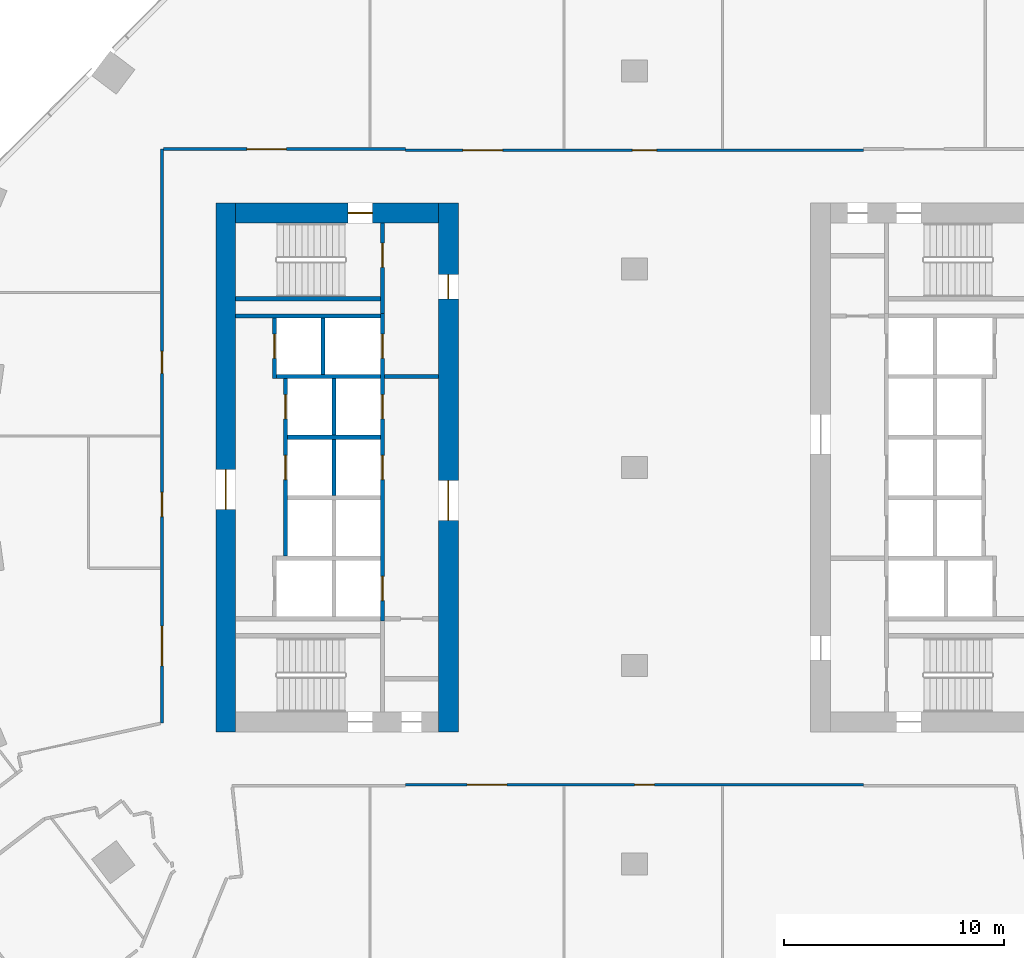
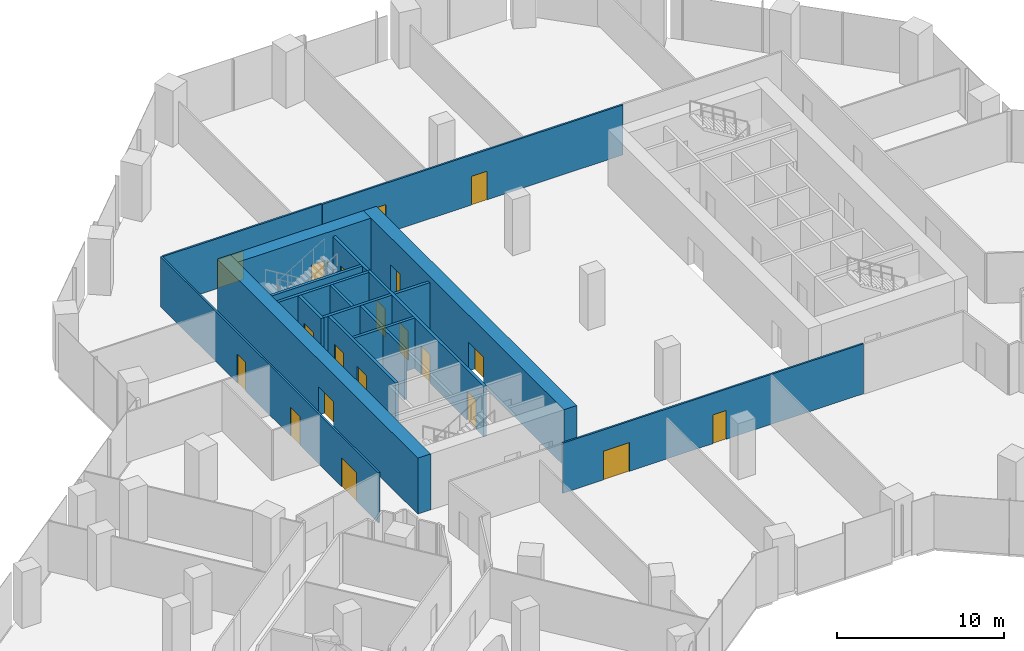
# One storey, part 23 of 29: 20 doors, 19 walls, 20 openings.
"""IFC4 building model written with IfcOpenShell, lengths in metres."""

from ifc_helpers import new_model, si_unit, direction, frame, frame_2d, origin, place, context, subcontext, project, spatial, rectangle, extrude, material, layer, layer_set, type_object, element, fill, save


model = new_model("IFC4")

# Units and contexts
model_context = context("Model", 3, precision=1e-05, world=origin(), true_north=direction((0.0, 1.0)))
body_context = subcontext(model_context, "Body", "Model", "MODEL_VIEW")
ifc_project = project(units=[si_unit("LENGTHUNIT", "METRE"), si_unit("AREAUNIT", "SQUARE_METRE"), si_unit("VOLUMEUNIT", "CUBIC_METRE"), si_unit("PLANEANGLEUNIT", "RADIAN"), si_unit("MASSUNIT", "GRAM", prefix="KILO")], contexts=[model_context])

# Site, building, storey
site_placement = place(None, origin())
site = spatial("IfcSite", under=ifc_project, at=site_placement, CompositionType="ELEMENT")
building_placement = place(site_placement, origin())
building = spatial("IfcBuilding", under=site, at=building_placement, Name="Orlundy Tower", CompositionType="ELEMENT")
storey_placement = place(building_placement, frame((0.0, 0.0, 29.199951171875)))
storey = spatial("IfcBuildingStorey", under=building, at=storey_placement, Name="L05", CompositionType="ELEMENT", Elevation=29.199951171875)

# Wall, opening, door
ifc_material_1 = material(Name="Concrete C80/95", Category="concrete")
ifc_layer_1 = layer(ifc_material_1, 0.89990234375)
ifc_layer_set_1 = layer_set([ifc_layer_1], Name="CORE WALL 900 C80/95")
wall_type_1 = type_object("IfcWallType", Name="CORE WALL 900 C80/95", PredefinedType="SHEAR", material=ifc_layer_set_1)
wall_1_placement = place(storey_placement, frame((-18.10009765625, 11.550048828125, 0.0), z_axis=(0.0, 0.0, 1.0), x_axis=(1.0, 0.0, 0.0)))
wall_1 = element("IfcWall", 1, at=wall_1_placement, inside=storey, type_object=wall_type_1, Name="Core wall W-N L05", PredefinedType="SHEAR", context=body_context, shape_type="SweptSolid", body=[
    extrude(rectangle(XDim=9.2001953125, YDim=0.89990234375, at=frame_2d((4.60009765625, 0.0))), origin(), (0.0, 0.0, 1.0), 4.10009765625),
])
opening_1_placement = place(wall_1_placement, frame((5.10009765625, 0.0, 0.0)))
opening_1 = element("IfcOpeningElement", 2, at=opening_1_placement, cuts=wall_1, Name="Opening 06012", PredefinedType="OPENING", context=body_context, shape_type="SweptSolid", body=[
    extrude(rectangle(XDim=1.10009765625, YDim=2.10009765625, at=frame_2d((0.550048828125, 1.050048828125))), frame((0.0, 0.4599609375, 0.0), z_axis=(0.0, -1.0, 0.0), x_axis=(1.0, 0.0, 0.0)), (0.0, 0.0, 1.0), 0.919921875),
])
ifc_material_2 = material(Name="Steel door set", Category="steel")
door_type_1 = type_object("IfcDoorType", Name="Stair Door 1100x2100", OperationType="SINGLE_SWING_LEFT", PredefinedType="DOOR", material=ifc_material_2)
door_1_placement = place(opening_1_placement, origin())
door_1 = element("IfcDoor", 3, at=door_1_placement, inside=storey, type_object=door_type_1, Name="Stair door 06012", OperationType="SINGLE_SWING_RIGHT", OverallHeight=2.10009765625, OverallWidth=1.10009765625, PredefinedType="DOOR", context=body_context, shape_type="SweptSolid", body=[
    extrude(rectangle(XDim=1.10009765625, YDim=2.10009765625, at=frame_2d((0.550048828125, 1.050048828125))), frame((0.0, 0.02490234375, 0.0), z_axis=(0.0, -1.0, 0.0), x_axis=(1.0, 0.0, 0.0)), (0.0, 0.0, 1.0), 0.050048828125),
])
fill(opening_1, door_1)

wall_2_placement = place(storey_placement, frame((-18.550048828125, -12.0, 0.0), z_axis=(0.0, 0.0, 1.0), x_axis=(0.0, 1.0, 0.0)))
wall_2 = element("IfcWall", 4, at=wall_2_placement, inside=storey, type_object=wall_type_1, Name="Core wall W-W L05", PredefinedType="SHEAR", context=body_context, shape_type="SweptSolid", body=[
    extrude(rectangle(XDim=24.0, YDim=0.89990234375, at=frame_2d((12.0, 0.0))), origin(), (0.0, 0.0, 1.0), 4.10009765625),
])
opening_2_placement = place(wall_2_placement, frame((10.10009765625, 0.0, 0.0)))
opening_2 = element("IfcOpeningElement", 5, at=opening_2_placement, cuts=wall_2, Name="Opening 06010", PredefinedType="OPENING", context=body_context, shape_type="SweptSolid", body=[
    extrude(rectangle(XDim=1.800048828125, YDim=2.10009765625, at=frame_2d((0.89990234375, 1.050048828125))), frame((0.0, 0.4599609375, 0.0), z_axis=(0.0, -1.0, 0.0), x_axis=(1.0, 0.0, 0.0)), (0.0, 0.0, 1.0), 0.919921875),
])
ifc_material_3 = material(Name="Timber door set", Category="wood")
door_type_2 = type_object("IfcDoorType", Name="Lobby Door 1800x2100", OperationType="DOUBLE_DOOR_DOUBLE_SWING", PredefinedType="DOOR", material=ifc_material_3)
door_2_placement = place(opening_2_placement, origin())
door_2 = element("IfcDoor", 6, at=door_2_placement, inside=storey, type_object=door_type_2, Name="Lift lobby door 06010", OperationType="SINGLE_SWING_LEFT", OverallHeight=2.10009765625, OverallWidth=1.800048828125, PredefinedType="DOOR", context=body_context, shape_type="SweptSolid", body=[
    extrude(rectangle(XDim=1.800048828125, YDim=2.10009765625, at=frame_2d((0.89990234375, 1.050048828125))), frame((0.0, 0.02490234375, 0.0), z_axis=(0.0, -1.0, 0.0), x_axis=(1.0, 0.0, 0.0)), (0.0, 0.0, 1.0), 0.050048828125),
])
fill(opening_2, door_2)

# Wall, openings, doors
wall_3_placement = place(storey_placement, frame((-8.449951171875, -12.0, 0.0), z_axis=(0.0, 0.0, 1.0), x_axis=(0.0, 1.0, 0.0)))
wall_3 = element("IfcWall", 7, at=wall_3_placement, inside=storey, type_object=wall_type_1, Name="Core wall W-E L05", PredefinedType="SHEAR", context=body_context, shape_type="SweptSolid", body=[
    extrude(rectangle(XDim=24.0, YDim=0.89990234375, at=frame_2d((12.0, 0.0))), origin(), (0.0, 0.0, 1.0), 4.10009765625),
])
opening_3_placement = place(wall_3_placement, frame((9.60009765625, 0.0, 0.0)))
opening_3 = element("IfcOpeningElement", 8, at=opening_3_placement, cuts=wall_3, Name="Opening 06009", PredefinedType="OPENING", context=body_context, shape_type="SweptSolid", body=[
    extrude(rectangle(XDim=1.800048828125, YDim=2.10009765625, at=frame_2d((0.89990234375, 1.050048828125))), frame((0.0, 0.4599609375, 0.0), z_axis=(0.0, -1.0, 0.0), x_axis=(1.0, 0.0, 0.0)), (0.0, 0.0, 1.0), 0.919921875),
])
opening_4_placement = place(wall_3_placement, frame((19.64990234375, 0.0, 0.0)))
opening_4 = element("IfcOpeningElement", 9, at=opening_4_placement, cuts=wall_3, Name="Opening 06011", PredefinedType="OPENING", context=body_context, shape_type="SweptSolid", body=[
    extrude(rectangle(XDim=1.10009765625, YDim=2.10009765625, at=frame_2d((0.550048828125, 1.050048828125))), frame((0.0, 0.4599609375, 0.0), z_axis=(0.0, -1.0, 0.0), x_axis=(1.0, 0.0, 0.0)), (0.0, 0.0, 1.0), 0.919921875),
])
ifc_material_4 = material(Name="Steel door set", Category="steel")
door_type_3 = type_object("IfcDoorType", Name="Fire-fighting Lobby Door 1100x2100", OperationType="SINGLE_SWING_LEFT", PredefinedType="DOOR", material=ifc_material_4)
door_3_placement = place(opening_4_placement, origin())
door_3 = element("IfcDoor", 10, at=door_3_placement, inside=storey, type_object=door_type_3, Name="Fire-fighting lobby door 06011", OperationType="SINGLE_SWING_RIGHT", OverallHeight=2.10009765625, OverallWidth=1.10009765625, PredefinedType="DOOR", context=body_context, shape_type="SweptSolid", body=[
    extrude(rectangle(XDim=1.10009765625, YDim=2.10009765625, at=frame_2d((0.550048828125, 1.050048828125))), frame((0.0, 0.02490234375, 0.0), z_axis=(0.0, -1.0, 0.0), x_axis=(1.0, 0.0, 0.0)), (0.0, 0.0, 1.0), 0.050048828125),
])
fill(opening_4, door_3)
door_4_placement = place(opening_3_placement, origin())
door_4 = element("IfcDoor", 11, at=door_4_placement, inside=storey, type_object=door_type_2, Name="Lift lobby door 06009", OperationType="SINGLE_SWING_LEFT", OverallHeight=2.10009765625, OverallWidth=1.800048828125, PredefinedType="DOOR", context=body_context, shape_type="SweptSolid", body=[
    extrude(rectangle(XDim=1.800048828125, YDim=2.10009765625, at=frame_2d((0.89990234375, 1.050048828125))), frame((0.0, 0.02490234375, 0.0), z_axis=(0.0, -1.0, 0.0), x_axis=(1.0, 0.0, 0.0)), (0.0, 0.0, 1.0), 0.050048828125),
])
fill(opening_3, door_4)

ifc_material_5 = material(Name="Gypsum board partition, double layer")
ifc_layer_2 = layer(ifc_material_5, 0.125)
ifc_layer_set_2 = layer_set([ifc_layer_2], Name="Floor partition 125")
wall_type_2 = type_object("IfcWallType", Name="Floor partition 125", PredefinedType="PARTITIONING", material=ifc_layer_set_2)
wall_4_placement = place(storey_placement, frame((10.39111328125, -14.40087890625, 0.0), z_axis=(0.0, 0.0, 1.0), x_axis=(-1.0, 0.0, 0.0)))
wall_4 = element("IfcWall", 12, at=wall_4_placement, inside=storey, type_object=wall_type_2, Name="wall-int-L05-042", PredefinedType="PARTITIONING", context=body_context, shape_type="SweptSolid", body=[
    extrude(rectangle(XDim=20.781005859375, YDim=0.125, at=frame_2d((10.390625, 0.0))), origin(), (0.0, 0.0, 1.0), 3.66015625),
])
opening_5_placement = place(wall_4_placement, frame((16.18603515625, 0.0, 0.0)))
opening_5 = element("IfcOpeningElement", 13, at=opening_5_placement, cuts=wall_4, Name="Opening 06127", PredefinedType="OPENING", context=body_context, shape_type="SweptSolid", body=[
    extrude(rectangle(XDim=1.800048828125, YDim=2.10009765625, at=frame_2d((0.89990234375, 1.050048828125))), frame((0.0, 0.072509765625, 0.0), z_axis=(0.0, -1.0, 0.0), x_axis=(1.0, 0.0, 0.0)), (0.0, 0.0, 1.0), 0.14501953125),
])
opening_6_placement = place(wall_4_placement, frame((9.490966796875, 0.0, 0.0)))
opening_6 = element("IfcOpeningElement", 14, at=opening_6_placement, cuts=wall_4, Name="Opening 06128", PredefinedType="OPENING", context=body_context, shape_type="SweptSolid", body=[
    extrude(rectangle(XDim=0.89990234375, YDim=2.10009765625, at=frame_2d((0.449951171875, 1.050048828125))), frame((0.0, 0.072509765625, 0.0), z_axis=(0.0, -1.0, 0.0), x_axis=(1.0, 0.0, 0.0)), (0.0, 0.0, 1.0), 0.14501953125),
])
ifc_material_6 = material(Name="Timber door leaf", Category="wood")
door_type_4 = type_object("IfcDoorType", Name="Floor door double 1800 FD30S", OperationType="NOTDEFINED", PredefinedType="DOOR", material=ifc_material_6)
door_5_placement = place(opening_5_placement, origin())
door_5 = element("IfcDoor", 15, at=door_5_placement, inside=storey, type_object=door_type_4, Name="Door 06127", OperationType="DOUBLE_DOOR_SINGLE_SWING", OverallHeight=2.10009765625, OverallWidth=1.800048828125, PredefinedType="DOOR", context=body_context, shape_type="SweptSolid", body=[
    extrude(rectangle(XDim=1.800048828125, YDim=2.10009765625, at=frame_2d((0.89990234375, 1.050048828125))), frame((0.0, 0.02490234375, 0.0), z_axis=(0.0, -1.0, 0.0), x_axis=(1.0, 0.0, 0.0)), (0.0, 0.0, 1.0), 0.050048828125),
])
fill(opening_5, door_5)
ifc_material_7 = material(Name="Timber door leaf", Category="wood")
door_type_5 = type_object("IfcDoorType", Name="Floor door single 900 FD30S", OperationType="NOTDEFINED", PredefinedType="DOOR", material=ifc_material_7)
door_6_placement = place(opening_6_placement, origin())
door_6 = element("IfcDoor", 16, at=door_6_placement, inside=storey, type_object=door_type_5, Name="Door 06128", OperationType="SINGLE_SWING_LEFT", OverallHeight=2.10009765625, OverallWidth=0.89990234375, PredefinedType="DOOR", context=body_context, shape_type="SweptSolid", body=[
    extrude(rectangle(XDim=0.89990234375, YDim=2.10009765625, at=frame_2d((0.449951171875, 1.050048828125))), frame((0.0, 0.02490234375, 0.0), z_axis=(0.0, -1.0, 0.0), x_axis=(1.0, 0.0, 0.0)), (0.0, 0.0, 1.0), 0.050048828125),
])
fill(opening_6, door_6)

wall_5_placement = place(storey_placement, frame((-10.389892578125, 14.40087890625, 0.0), z_axis=(0.0, 0.0, 1.0), x_axis=(1.0, 0.0, 0.0)))
wall_5 = element("IfcWall", 17, at=wall_5_placement, inside=storey, type_object=wall_type_2, Name="wall-int-L05-048", PredefinedType="PARTITIONING", context=body_context, shape_type="SweptSolid", body=[
    extrude(rectangle(XDim=20.781005859375, YDim=0.125, at=frame_2d((10.390625, 0.0))), origin(), (0.0, 0.0, 1.0), 3.66015625),
])
opening_7_placement = place(wall_5_placement, frame((10.294921875, 0.0, 0.0)))
opening_7 = element("IfcOpeningElement", 18, at=opening_7_placement, cuts=wall_5, Name="Opening 06135", PredefinedType="OPENING", context=body_context, shape_type="SweptSolid", body=[
    extrude(rectangle(XDim=1.10009765625, YDim=2.10009765625, at=frame_2d((0.550048828125, 1.050048828125))), frame((0.0, 0.072509765625, 0.0), z_axis=(0.0, -1.0, 0.0), x_axis=(1.0, 0.0, 0.0)), (0.0, 0.0, 1.0), 0.14501953125),
])
opening_8_placement = place(wall_5_placement, frame((2.60009765625, 0.0, 0.0)))
opening_8 = element("IfcOpeningElement", 19, at=opening_8_placement, cuts=wall_5, Name="Opening 06136", PredefinedType="OPENING", context=body_context, shape_type="SweptSolid", body=[
    extrude(rectangle(XDim=1.800048828125, YDim=2.10009765625, at=frame_2d((0.89990234375, 1.050048828125))), frame((0.0, 0.072509765625, 0.0), z_axis=(0.0, -1.0, 0.0), x_axis=(1.0, 0.0, 0.0)), (0.0, 0.0, 1.0), 0.14501953125),
])
door_7_placement = place(opening_8_placement, origin())
door_7 = element("IfcDoor", 20, at=door_7_placement, inside=storey, type_object=door_type_4, Name="Door 06136", OperationType="DOUBLE_DOOR_SINGLE_SWING", OverallHeight=2.10009765625, OverallWidth=1.800048828125, PredefinedType="DOOR", context=body_context, shape_type="SweptSolid", body=[
    extrude(rectangle(XDim=1.800048828125, YDim=2.10009765625, at=frame_2d((0.89990234375, 1.050048828125))), frame((0.0, 0.02490234375, 0.0), z_axis=(0.0, -1.0, 0.0), x_axis=(1.0, 0.0, 0.0)), (0.0, 0.0, 1.0), 0.050048828125),
])
fill(opening_8, door_7)
ifc_material_8 = material(Name="Timber door leaf", Category="wood")
door_type_6 = type_object("IfcDoorType", Name="Floor door xwide 1100 FD30S", OperationType="NOTDEFINED", PredefinedType="DOOR", material=ifc_material_8)
door_8_placement = place(opening_7_placement, origin())
door_8 = element("IfcDoor", 21, at=door_8_placement, inside=storey, type_object=door_type_6, Name="Door 06135", OperationType="SINGLE_SWING_RIGHT", OverallHeight=2.10009765625, OverallWidth=1.10009765625, PredefinedType="DOOR", context=body_context, shape_type="SweptSolid", body=[
    extrude(rectangle(XDim=1.10009765625, YDim=2.10009765625, at=frame_2d((0.550048828125, 1.050048828125))), frame((0.0, 0.02490234375, 0.0), z_axis=(0.0, -1.0, 0.0), x_axis=(1.0, 0.0, 0.0)), (0.0, 0.0, 1.0), 0.050048828125),
])
fill(opening_7, door_8)

# Wall, opening, door
wall_6_placement = place(storey_placement, frame((-21.386962890625, 14.450927734375, 0.0), z_axis=(0.0, 0.0, 1.0), x_axis=(1.0, 0.0, 0.0)))
wall_6 = element("IfcWall", 22, at=wall_6_placement, inside=storey, type_object=wall_type_2, Name="wall-int-L05-049", PredefinedType="PARTITIONING", context=body_context, shape_type="SweptSolid", body=[
    extrude(rectangle(XDim=10.995849609375, YDim=0.125, at=frame_2d((5.498046875, 0.0))), origin(), (0.0, 0.0, 1.0), 3.66015625),
])
opening_9_placement = place(wall_6_placement, frame((3.78759765625, 0.0, 0.0)))
opening_9 = element("IfcOpeningElement", 23, at=opening_9_placement, cuts=wall_6, Name="Opening 06137", PredefinedType="OPENING", context=body_context, shape_type="SweptSolid", body=[
    extrude(rectangle(XDim=1.800048828125, YDim=2.10009765625, at=frame_2d((0.89990234375, 1.050048828125))), frame((0.0, 0.072509765625, 0.0), z_axis=(0.0, -1.0, 0.0), x_axis=(1.0, 0.0, 0.0)), (0.0, 0.0, 1.0), 0.14501953125),
])
door_9_placement = place(opening_9_placement, origin())
door_9 = element("IfcDoor", 24, at=door_9_placement, inside=storey, type_object=door_type_4, Name="Door 06137", OperationType="DOUBLE_DOOR_SINGLE_SWING", OverallHeight=2.10009765625, OverallWidth=1.800048828125, PredefinedType="DOOR", context=body_context, shape_type="SweptSolid", body=[
    extrude(rectangle(XDim=1.800048828125, YDim=2.10009765625, at=frame_2d((0.89990234375, 1.050048828125))), frame((0.0, 0.02490234375, 0.0), z_axis=(0.0, -1.0, 0.0), x_axis=(1.0, 0.0, 0.0)), (0.0, 0.0, 1.0), 0.050048828125),
])
fill(opening_9, door_9)

# Wall, openings, doors
wall_7_placement = place(storey_placement, frame((-21.449951171875, -11.60693359375, 0.0), z_axis=(0.0, 0.0, 1.0), x_axis=(0.0, 1.0, 0.0)))
wall_7 = element("IfcWall", 25, at=wall_7_placement, inside=storey, type_object=wall_type_2, Name="wall-int-L05-099", PredefinedType="PARTITIONING", context=body_context, shape_type="SweptSolid", body=[
    extrude(rectangle(XDim=26.057861328125, YDim=0.125, at=frame_2d((13.02880859375, 0.0))), origin(), (0.0, 0.0, 1.0), 3.66015625),
])
opening_10_placement = place(wall_7_placement, frame((2.60009765625, 0.0, 0.0)))
opening_10 = element("IfcOpeningElement", 26, at=opening_10_placement, cuts=wall_7, Name="Opening 06123", PredefinedType="OPENING", context=body_context, shape_type="SweptSolid", body=[
    extrude(rectangle(XDim=1.800048828125, YDim=2.10009765625, at=frame_2d((0.89990234375, 1.050048828125))), frame((0.0, 0.072509765625, 0.0), z_axis=(0.0, -1.0, 0.0), x_axis=(1.0, 0.0, 0.0)), (0.0, 0.0, 1.0), 0.14501953125),
])
opening_11_placement = place(wall_7_placement, frame((15.876953125, 0.0, 0.0)))
opening_11 = element("IfcOpeningElement", 27, at=opening_11_placement, cuts=wall_7, Name="Opening 06138", PredefinedType="OPENING", context=body_context, shape_type="SweptSolid", body=[
    extrude(rectangle(XDim=1.0, YDim=2.10009765625, at=frame_2d((0.5, 1.050048828125))), frame((0.0, 0.072509765625, 0.0), z_axis=(0.0, -1.0, 0.0), x_axis=(1.0, 0.0, 0.0)), (0.0, 0.0, 1.0), 0.14501953125),
])
opening_12_placement = place(wall_7_placement, frame((9.3779296875, 0.0, 0.0)))
opening_12 = element("IfcOpeningElement", 28, at=opening_12_placement, cuts=wall_7, Name="Opening 06139", PredefinedType="OPENING", context=body_context, shape_type="SweptSolid", body=[
    extrude(rectangle(XDim=1.10009765625, YDim=2.10009765625, at=frame_2d((0.550048828125, 1.050048828125))), frame((0.0, 0.072509765625, 0.0), z_axis=(0.0, -1.0, 0.0), x_axis=(1.0, 0.0, 0.0)), (0.0, 0.0, 1.0), 0.14501953125),
])
door_10_placement = place(opening_10_placement, origin())
door_10 = element("IfcDoor", 29, at=door_10_placement, inside=storey, type_object=door_type_4, Name="Door 06123", OperationType="DOUBLE_DOOR_SINGLE_SWING", OverallHeight=2.10009765625, OverallWidth=1.800048828125, PredefinedType="DOOR", context=body_context, shape_type="SweptSolid", body=[
    extrude(rectangle(XDim=1.800048828125, YDim=2.10009765625, at=frame_2d((0.89990234375, 1.050048828125))), frame((0.0, 0.02490234375, 0.0), z_axis=(0.0, -1.0, 0.0), x_axis=(1.0, 0.0, 0.0)), (0.0, 0.0, 1.0), 0.050048828125),
])
fill(opening_10, door_10)
ifc_material_9 = material(Name="Timber door leaf", Category="wood")
door_type_7 = type_object("IfcDoorType", Name="Floor door wide 1000 FD30S", OperationType="NOTDEFINED", PredefinedType="DOOR", material=ifc_material_9)
door_11_placement = place(opening_11_placement, origin())
door_11 = element("IfcDoor", 30, at=door_11_placement, inside=storey, type_object=door_type_7, Name="Door 06138", OperationType="SINGLE_SWING_RIGHT", OverallHeight=2.10009765625, OverallWidth=1.0, PredefinedType="DOOR", context=body_context, shape_type="SweptSolid", body=[
    extrude(rectangle(XDim=1.0, YDim=2.10009765625, at=frame_2d((0.5, 1.050048828125))), frame((0.0, 0.02490234375, 0.0), z_axis=(0.0, -1.0, 0.0), x_axis=(1.0, 0.0, 0.0)), (0.0, 0.0, 1.0), 0.050048828125),
])
fill(opening_11, door_11)
door_12_placement = place(opening_12_placement, origin())
door_12 = element("IfcDoor", 31, at=door_12_placement, inside=storey, type_object=door_type_6, Name="Door 06139", OperationType="SINGLE_SWING_LEFT", OverallHeight=2.10009765625, OverallWidth=1.10009765625, PredefinedType="DOOR", context=body_context, shape_type="SweptSolid", body=[
    extrude(rectangle(XDim=1.10009765625, YDim=2.10009765625, at=frame_2d((0.550048828125, 1.050048828125))), frame((0.0, 0.02490234375, 0.0), z_axis=(0.0, -1.0, 0.0), x_axis=(1.0, 0.0, 0.0)), (0.0, 0.0, 1.0), 0.050048828125),
])
fill(opening_12, door_12)

# Wall, opening, door
ifc_material_10 = material(Name="Concrete C40/50", Category="concrete")
ifc_layer_3 = layer(ifc_material_10, 0.199951171875)
ifc_layer_set_3 = layer_set([ifc_layer_3], Name="Load-bearing Shaft Wall 200")
wall_type_3 = type_object("IfcWallType", Name="Load-bearing Shaft Wall 200", PredefinedType="SOLIDWALL", material=ifc_layer_set_3)
wall_8_placement = place(storey_placement, frame((-11.43994140625, 6.97509765625, 0.0), z_axis=(0.0, 0.0, 1.0), x_axis=(0.0, 1.0, 0.0)))
wall_8 = element("IfcWall", 32, at=wall_8_placement, inside=storey, type_object=wall_type_3, Name="Shaft wall W06-stair-end-n", PredefinedType="SOLIDWALL", context=body_context, shape_type="SweptSolid", body=[
    extrude(rectangle(XDim=4.125, YDim=0.199951171875, at=frame_2d((2.0625, 0.0))), origin(), (0.0, 0.0, 1.0), 3.679931640625),
])
opening_13_placement = place(wall_8_placement, frame((2.10009765625, 0.0, 0.0)))
opening_13 = element("IfcOpeningElement", 33, at=opening_13_placement, cuts=wall_8, Name="Opening 06014", PredefinedType="OPENING", context=body_context, shape_type="SweptSolid", body=[
    extrude(rectangle(XDim=1.10009765625, YDim=2.10009765625, at=frame_2d((0.550048828125, 1.050048828125))), frame((0.0, 0.110107421875, 0.0), z_axis=(0.0, -1.0, 0.0), x_axis=(1.0, 0.0, 0.0)), (0.0, 0.0, 1.0), 0.22021484375),
])
door_13_placement = place(opening_13_placement, origin())
door_13 = element("IfcDoor", 34, at=door_13_placement, inside=storey, type_object=door_type_3, Name="Fire-fighting lobby to stair door 06014", OperationType="SINGLE_SWING_RIGHT", OverallHeight=2.10009765625, OverallWidth=1.10009765625, PredefinedType="DOOR", context=body_context, shape_type="SweptSolid", body=[
    extrude(rectangle(XDim=1.10009765625, YDim=2.10009765625, at=frame_2d((0.550048828125, 1.050048828125))), frame((0.0, 0.02490234375, 0.0), z_axis=(0.0, -1.0, 0.0), x_axis=(1.0, 0.0, 0.0)), (0.0, 0.0, 1.0), 0.050048828125),
])
fill(opening_13, door_13)

# Walls
wall_9_placement = place(storey_placement, frame((-11.5400390625, 7.64990234375, 0.0), z_axis=(0.0, 0.0, 1.0), x_axis=(-1.0, 0.0, 0.0)))
element("IfcWall", 35, at=wall_9_placement, inside=storey, type_object=wall_type_3, Name="Shaft wall W06-stair-side-n", PredefinedType="SOLIDWALL", context=body_context, shape_type="SweptSolid", body=[
    extrude(rectangle(XDim=6.56005859375, YDim=0.199951171875, at=frame_2d((3.280029296875, 0.0))), origin(), (0.0, 0.0, 1.0), 3.679931640625),
])
ifc_material_11 = material(Name="Gypsum board partition on steel studs", Category="steel")
ifc_layer_4 = layer(ifc_material_11, 0.199951171875)
ifc_layer_set_4 = layer_set([ifc_layer_4], Name="Partition 200")
wall_type_4 = type_object("IfcWallType", Name="Partition 200", PredefinedType="PARTITIONING", material=ifc_layer_set_4)
wall_10_placement = place(storey_placement, frame((-8.89990234375, 4.125, 0.0), z_axis=(0.0, 0.0, 1.0), x_axis=(-1.0, 0.0, 0.0)))
element("IfcWall", 36, at=wall_10_placement, inside=storey, type_object=wall_type_4, Name="Partition wall W06-lobby-n", PredefinedType="PARTITIONING", context=body_context, shape_type="SweptSolid", body=[
    extrude(rectangle(XDim=2.440185546875, YDim=0.199951171875, at=frame_2d((1.22021484375, 0.0))), origin(), (0.0, 0.0, 1.0), 3.679931640625),
])
ifc_material_12 = material(Name="Fire-rated blockwork shaft wall", Category="masonry")
ifc_layer_5 = layer(ifc_material_12, 0.199951171875)
ifc_layer_set_5 = layer_set([ifc_layer_5], Name="Shaft Wall 200")
wall_type_5 = type_object("IfcWallType", Name="Shaft Wall 200", PredefinedType="SOLIDWALL", material=ifc_layer_set_5)
wall_11_placement = place(storey_placement, frame((-11.5400390625, 6.875, 0.0), z_axis=(0.0, 0.0, 1.0), x_axis=(-1.0, 0.0, 0.0)))
element("IfcWall", 37, at=wall_11_placement, inside=storey, type_object=wall_type_5, Name="Shaft wall W06-zone-n", PredefinedType="SOLIDWALL", context=body_context, shape_type="SweptSolid", body=[
    extrude(rectangle(XDim=6.56005859375, YDim=0.199951171875, at=frame_2d((3.280029296875, 0.0))), origin(), (0.0, 0.0, 1.0), 3.679931640625),
])
wall_12_placement = place(storey_placement, frame((-11.5400390625, 1.375, 0.0), z_axis=(0.0, 0.0, 1.0), x_axis=(-1.0, 0.0, 0.0)))
element("IfcWall", 38, at=wall_12_placement, inside=storey, type_object=wall_type_5, Name="Shaft wall W06-cross+1.375", PredefinedType="SOLIDWALL", context=body_context, shape_type="SweptSolid", body=[
    extrude(rectangle(XDim=4.199951171875, YDim=0.199951171875, at=frame_2d((2.10009765625, 0.0))), origin(), (0.0, 0.0, 1.0), 3.679931640625),
])
wall_13_placement = place(storey_placement, frame((-11.5400390625, 4.125, 0.0), z_axis=(0.0, 0.0, 1.0), x_axis=(-1.0, 0.0, 0.0)))
element("IfcWall", 39, at=wall_13_placement, inside=storey, type_object=wall_type_5, Name="Shaft wall W06-cross+4.125", PredefinedType="SOLIDWALL", context=body_context, shape_type="SweptSolid", body=[
    extrude(rectangle(XDim=4.699951171875, YDim=0.199951171875, at=frame_2d((2.35009765625, 0.0))), origin(), (0.0, 0.0, 1.0), 3.679931640625),
])

# Wall, openings, doors
wall_14_placement = place(storey_placement, frame((-11.43994140625, -6.97509765625, 0.0), z_axis=(0.0, 0.0, 1.0), x_axis=(0.0, 1.0, 0.0)))
wall_14 = element("IfcWall", 40, at=wall_14_placement, inside=storey, type_object=wall_type_5, Name="Shaft wall W06-front-h", PredefinedType="SOLIDWALL", context=body_context, shape_type="SweptSolid", body=[
    extrude(rectangle(XDim=13.9501953125, YDim=0.199951171875, at=frame_2d((6.97509765625, 0.0))), origin(), (0.0, 0.0, 1.0), 3.679931640625),
])
opening_14_placement = place(wall_14_placement, frame((0.925048828125, 0.0, 0.0)))
opening_14 = element("IfcOpeningElement", 41, at=opening_14_placement, cuts=wall_14, Name="Opening 06001", PredefinedType="OPENING", context=body_context, shape_type="SweptSolid", body=[
    extrude(rectangle(XDim=1.10009765625, YDim=2.10009765625, at=frame_2d((0.550048828125, 1.050048828125))), frame((0.0, 0.110107421875, 0.0), z_axis=(0.0, -1.0, 0.0), x_axis=(1.0, 0.0, 0.0)), (0.0, 0.0, 1.0), 0.22021484375),
])
opening_15_placement = place(wall_14_placement, frame((6.425048828125, 0.0, 0.0)))
opening_15 = element("IfcOpeningElement", 42, at=opening_15_placement, cuts=wall_14, Name="Opening 06003", PredefinedType="OPENING", context=body_context, shape_type="SweptSolid", body=[
    extrude(rectangle(XDim=1.10009765625, YDim=2.10009765625, at=frame_2d((0.550048828125, 1.050048828125))), frame((0.0, 0.110107421875, 0.0), z_axis=(0.0, -1.0, 0.0), x_axis=(1.0, 0.0, 0.0)), (0.0, 0.0, 1.0), 0.22021484375),
])
opening_16_placement = place(wall_14_placement, frame((9.175048828125, 0.0, 0.0)))
opening_16 = element("IfcOpeningElement", 43, at=opening_16_placement, cuts=wall_14, Name="Opening 06005", PredefinedType="OPENING", context=body_context, shape_type="SweptSolid", body=[
    extrude(rectangle(XDim=1.10009765625, YDim=2.10009765625, at=frame_2d((0.550048828125, 1.050048828125))), frame((0.0, 0.110107421875, 0.0), z_axis=(0.0, -1.0, 0.0), x_axis=(1.0, 0.0, 0.0)), (0.0, 0.0, 1.0), 0.22021484375),
])
opening_17_placement = place(wall_14_placement, frame((11.925048828125, 0.0, 0.0)))
opening_17 = element("IfcOpeningElement", 44, at=opening_17_placement, cuts=wall_14, Name="Opening 06007", PredefinedType="OPENING", context=body_context, shape_type="SweptSolid", body=[
    extrude(rectangle(XDim=1.10009765625, YDim=2.10009765625, at=frame_2d((0.550048828125, 1.050048828125))), frame((0.0, 0.110107421875, 0.0), z_axis=(0.0, -1.0, 0.0), x_axis=(1.0, 0.0, 0.0)), (0.0, 0.0, 1.0), 0.22021484375),
])
ifc_material_13 = material(Name="Steel door set", Category="steel")
door_type_8 = type_object("IfcDoorType", Name="Landing Door 1100x2100", OperationType="DOUBLE_DOOR_SLIDING", PredefinedType="DOOR", material=ifc_material_13)
door_14_placement = place(opening_14_placement, origin())
door_14 = element("IfcDoor", 45, at=door_14_placement, inside=storey, type_object=door_type_8, Name="Lift landing door LPD-01 06001", OperationType="DOUBLE_DOOR_SLIDING", OverallHeight=2.10009765625, OverallWidth=1.10009765625, PredefinedType="DOOR", context=body_context, shape_type="SweptSolid", body=[
    extrude(rectangle(XDim=1.10009765625, YDim=2.10009765625, at=frame_2d((0.550048828125, 1.050048828125))), frame((0.0, 0.02490234375, 0.0), z_axis=(0.0, -1.0, 0.0), x_axis=(1.0, 0.0, 0.0)), (0.0, 0.0, 1.0), 0.050048828125),
])
fill(opening_14, door_14)
door_15_placement = place(opening_15_placement, origin())
door_15 = element("IfcDoor", 46, at=door_15_placement, inside=storey, type_object=door_type_8, Name="Lift landing door LP-05 06003", OperationType="DOUBLE_DOOR_SLIDING", OverallHeight=2.10009765625, OverallWidth=1.10009765625, PredefinedType="DOOR", context=body_context, shape_type="SweptSolid", body=[
    extrude(rectangle(XDim=1.10009765625, YDim=2.10009765625, at=frame_2d((0.550048828125, 1.050048828125))), frame((0.0, 0.02490234375, 0.0), z_axis=(0.0, -1.0, 0.0), x_axis=(1.0, 0.0, 0.0)), (0.0, 0.0, 1.0), 0.050048828125),
])
fill(opening_15, door_15)
door_16_placement = place(opening_16_placement, origin())
door_16 = element("IfcDoor", 47, at=door_16_placement, inside=storey, type_object=door_type_8, Name="Lift landing door LP-02 06005", OperationType="DOUBLE_DOOR_SLIDING", OverallHeight=2.10009765625, OverallWidth=1.10009765625, PredefinedType="DOOR", context=body_context, shape_type="SweptSolid", body=[
    extrude(rectangle(XDim=1.10009765625, YDim=2.10009765625, at=frame_2d((0.550048828125, 1.050048828125))), frame((0.0, 0.02490234375, 0.0), z_axis=(0.0, -1.0, 0.0), x_axis=(1.0, 0.0, 0.0)), (0.0, 0.0, 1.0), 0.050048828125),
])
fill(opening_16, door_16)
door_17_placement = place(opening_17_placement, origin())
door_17 = element("IfcDoor", 48, at=door_17_placement, inside=storey, type_object=door_type_8, Name="Lift landing door FL1 06007", OperationType="DOUBLE_DOOR_SLIDING", OverallHeight=2.10009765625, OverallWidth=1.10009765625, PredefinedType="DOOR", context=body_context, shape_type="SweptSolid", body=[
    extrude(rectangle(XDim=1.10009765625, YDim=2.10009765625, at=frame_2d((0.550048828125, 1.050048828125))), frame((0.0, 0.02490234375, 0.0), z_axis=(0.0, -1.0, 0.0), x_axis=(1.0, 0.0, 0.0)), (0.0, 0.0, 1.0), 0.050048828125),
])
fill(opening_17, door_17)

# Walls
for number, where, z_axis, x_axis, name in (
    (49, (-13.639892578125, -1.27490234375, 0.0), (0.0, 0.0, 1.0), (0.0, 1.0, 0.0), "Shaft wall W06-mid-a.2"),
    (50, (-13.639892578125, 1.47509765625, 0.0), (0.0, 0.0, 1.0), (0.0, 1.0, 0.0), "Shaft wall W06-mid-a.3"),
    (51, (-14.139892578125, 4.22509765625, 0.0), (0.0, 0.0, 1.0), (0.0, 1.0, 0.0), "Shaft wall W06-mid-b"),
):
    element("IfcWall", number, at=place(storey_placement, frame(where, z_axis=z_axis, x_axis=x_axis)), inside=storey, type_object=wall_type_5, Name=name, PredefinedType="SOLIDWALL", context=body_context, shape_type="SweptSolid", body=[
        extrude(rectangle(XDim=2.5498046875, YDim=0.199951171875, at=frame_2d((1.27490234375, 0.0))), origin(), (0.0, 0.0, 1.0), 3.679931640625),
    ])

# Wall, openings, doors
wall_15_placement = place(storey_placement, frame((-15.840087890625, -4.02490234375, 0.0), z_axis=(0.0, 0.0, 1.0), x_axis=(0.0, 1.0, 0.0)))
wall_15 = element("IfcWall", 52, at=wall_15_placement, inside=storey, type_object=wall_type_5, Name="Shaft wall W06-front-o-b", PredefinedType="SOLIDWALL", context=body_context, shape_type="SweptSolid", body=[
    extrude(rectangle(XDim=8.0498046875, YDim=0.199951171875, at=frame_2d((4.02490234375, 0.0))), origin(), (0.0, 0.0, 1.0), 3.679931640625),
])
opening_18_placement = place(wall_15_placement, frame((3.47509765625, 0.0, 0.0)))
opening_18 = element("IfcOpeningElement", 53, at=opening_18_placement, cuts=wall_15, Name="Opening 06004", PredefinedType="OPENING", context=body_context, shape_type="SweptSolid", body=[
    extrude(rectangle(XDim=1.10009765625, YDim=2.10009765625, at=frame_2d((0.550048828125, 1.050048828125))), frame((0.0, 0.110107421875, 0.0), z_axis=(0.0, -1.0, 0.0), x_axis=(1.0, 0.0, 0.0)), (0.0, 0.0, 1.0), 0.22021484375),
])
opening_19_placement = place(wall_15_placement, frame((6.22509765625, 0.0, 0.0)))
opening_19 = element("IfcOpeningElement", 54, at=opening_19_placement, cuts=wall_15, Name="Opening 06006", PredefinedType="OPENING", context=body_context, shape_type="SweptSolid", body=[
    extrude(rectangle(XDim=1.10009765625, YDim=2.10009765625, at=frame_2d((0.550048828125, 1.050048828125))), frame((0.0, 0.110107421875, 0.0), z_axis=(0.0, -1.0, 0.0), x_axis=(1.0, 0.0, 0.0)), (0.0, 0.0, 1.0), 0.22021484375),
])
door_18_placement = place(opening_18_placement, origin())
door_18 = element("IfcDoor", 55, at=door_18_placement, inside=storey, type_object=door_type_8, Name="Lift landing door LP-01 06004", OperationType="DOUBLE_DOOR_SLIDING", OverallHeight=2.10009765625, OverallWidth=1.10009765625, PredefinedType="DOOR", context=body_context, shape_type="SweptSolid", body=[
    extrude(rectangle(XDim=1.10009765625, YDim=2.10009765625, at=frame_2d((0.550048828125, 1.050048828125))), frame((0.0, 0.02490234375, 0.0), z_axis=(0.0, -1.0, 0.0), x_axis=(1.0, 0.0, 0.0)), (0.0, 0.0, 1.0), 0.050048828125),
])
fill(opening_18, door_18)
door_19_placement = place(opening_19_placement, origin())
door_19 = element("IfcDoor", 56, at=door_19_placement, inside=storey, type_object=door_type_8, Name="Lift landing door LP-03 06006", OperationType="DOUBLE_DOOR_SLIDING", OverallHeight=2.10009765625, OverallWidth=1.10009765625, PredefinedType="DOOR", context=body_context, shape_type="SweptSolid", body=[
    extrude(rectangle(XDim=1.10009765625, YDim=2.10009765625, at=frame_2d((0.550048828125, 1.050048828125))), frame((0.0, 0.02490234375, 0.0), z_axis=(0.0, -1.0, 0.0), x_axis=(1.0, 0.0, 0.0)), (0.0, 0.0, 1.0), 0.050048828125),
])
fill(opening_19, door_19)

# Wall, opening, door
wall_16_placement = place(storey_placement, frame((-16.340087890625, 4.02490234375, 0.0), z_axis=(0.0, 0.0, 1.0), x_axis=(0.0, 1.0, 0.0)))
wall_16 = element("IfcWall", 57, at=wall_16_placement, inside=storey, type_object=wall_type_5, Name="Shaft wall W06-front-o-c", PredefinedType="SOLIDWALL", context=body_context, shape_type="SweptSolid", body=[
    extrude(rectangle(XDim=2.75, YDim=0.199951171875, at=frame_2d((1.375, 0.0))), origin(), (0.0, 0.0, 1.0), 3.679931640625),
])
opening_20_placement = place(wall_16_placement, frame((0.925048828125, 0.0, 0.0)))
opening_20 = element("IfcOpeningElement", 58, at=opening_20_placement, cuts=wall_16, Name="Opening 06008", PredefinedType="OPENING", context=body_context, shape_type="SweptSolid", body=[
    extrude(rectangle(XDim=1.10009765625, YDim=2.10009765625, at=frame_2d((0.550048828125, 1.050048828125))), frame((0.0, 0.110107421875, 0.0), z_axis=(0.0, -1.0, 0.0), x_axis=(1.0, 0.0, 0.0)), (0.0, 0.0, 1.0), 0.22021484375),
])
door_20_placement = place(opening_20_placement, origin())
door_20 = element("IfcDoor", 59, at=door_20_placement, inside=storey, type_object=door_type_8, Name="Lift landing door LP-04 06008", OperationType="DOUBLE_DOOR_SLIDING", OverallHeight=2.10009765625, OverallWidth=1.10009765625, PredefinedType="DOOR", context=body_context, shape_type="SweptSolid", body=[
    extrude(rectangle(XDim=1.10009765625, YDim=2.10009765625, at=frame_2d((0.550048828125, 1.050048828125))), frame((0.0, 0.02490234375, 0.0), z_axis=(0.0, -1.0, 0.0), x_axis=(1.0, 0.0, 0.0)), (0.0, 0.0, 1.0), 0.050048828125),
])
fill(opening_20, door_20)

save(model, "model.ifc")
